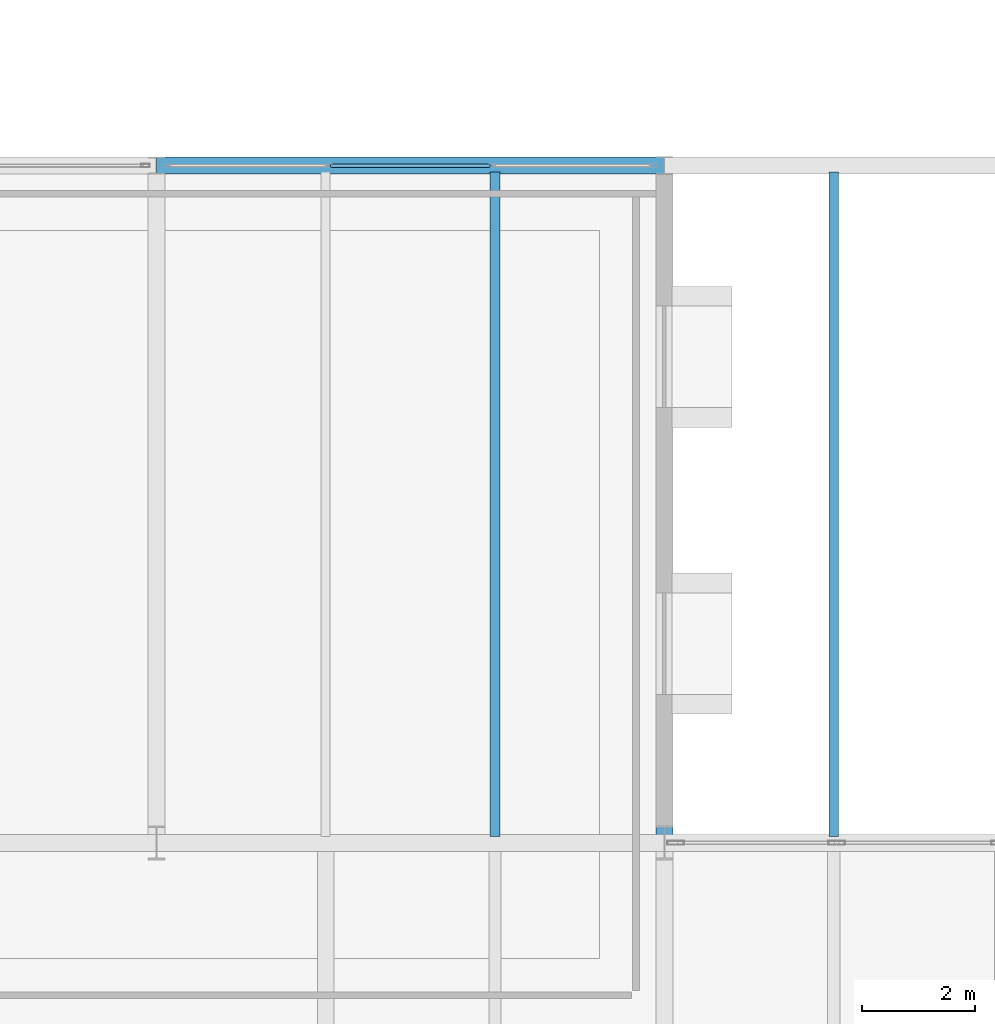
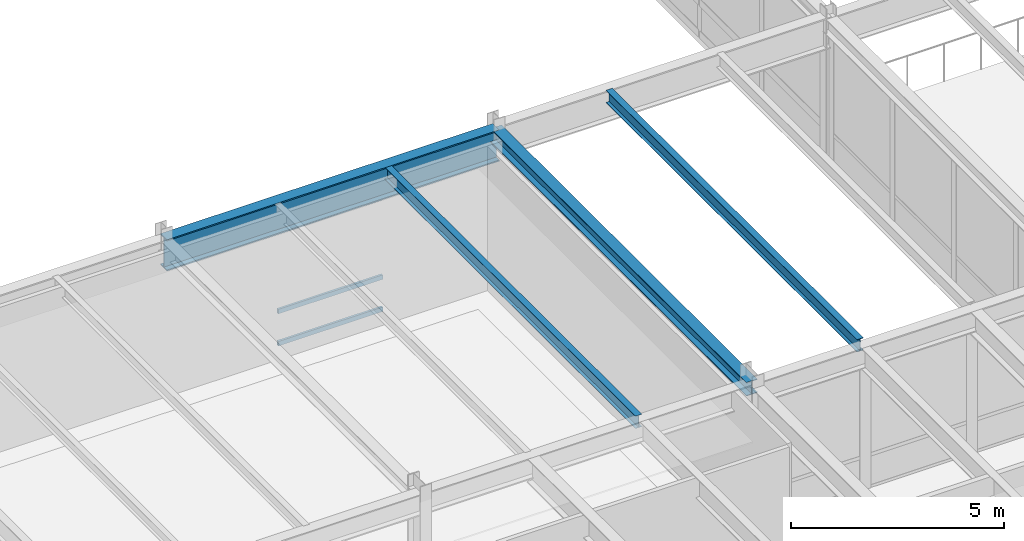
# One storey, part 29 of 127: 4 beams, 3 members, 1 element without a shape of its own.
"""IFC4 building model written with IfcOpenShell, lengths in metres."""

from ifc_helpers import new_model, si_unit, direction, frame, origin, origin_2d, place, context, subcontext, project, spatial, hollow_rectangle, i_section, extrude, material, layer, layer_set, material_profile, profile_set, type_object, element, aggregate, save


model = new_model("IFC4")

# Units and contexts
model_context = context("Model", 3, precision=1e-05, world=origin(), true_north=direction((0.0, 1.0)))
body_context = subcontext(model_context, "Body", "Model", "MODEL_VIEW")
ifc_project = project(units=[si_unit("LENGTHUNIT", "METRE"), si_unit("AREAUNIT", "SQUARE_METRE"), si_unit("VOLUMEUNIT", "CUBIC_METRE"), si_unit("PLANEANGLEUNIT", "RADIAN"), si_unit("MASSUNIT", "GRAM", prefix="KILO")], contexts=[model_context])

# Site, building, storey
site_placement = place(None, origin())
site = spatial("IfcSite", under=ifc_project, at=site_placement, CompositionType="ELEMENT")
building_placement = place(site_placement, origin())
building = spatial("IfcBuilding", under=site, at=building_placement, Name="Montelvaro Courts of Justice", CompositionType="ELEMENT")
storey_placement = place(building_placement, frame((0.0, 0.0, 5.39990234375)))
storey = spatial("IfcBuildingStorey", under=building, at=storey_placement, Name="L01", CompositionType="ELEMENT", Elevation=5.39990234375)

# Beams
ifc_material_1 = material(Name="Steel S355", Category="steel")
ifc_material_profile_1 = material_profile(ifc_material_1, i_section(OverallWidth=0.300048828125, OverallDepth=0.389892578125, WebThickness=0.010986328125, FlangeThickness=0.01904296875, at=origin_2d()), Name="HEA 400")
ifc_profile_set_1 = profile_set([ifc_material_profile_1], Name="Steel S355")
beam_type_1 = type_object("IfcBeamType", Name="Beam_HEA400", PredefinedType="USERDEFINED", material=ifc_profile_set_1)
beam_1_placement = place(storey_placement, frame((45.0, 42.0, 3.965087890625), z_axis=(0.0, 1.0, 0.0), x_axis=(-1.0, 0.0, 0.0)))
element("IfcBeam", 1, at=beam_1_placement, inside=storey, type_object=beam_type_1, Name="Beam B-17 L01", ObjectType="GIRDER", PredefinedType="USERDEFINED", context=body_context, shape_type="SweptSolid", body=[
    extrude(i_section(OverallWidth=0.300048828125, OverallDepth=0.389892578125, WebThickness=0.010986328125, FlangeThickness=0.01904296875, at=origin_2d()), origin(), (0.0, 0.0, 1.0), 12.0),
])
ifc_material_profile_2 = material_profile(ifc_material_1, i_section(OverallWidth=0.300048828125, OverallDepth=0.89990234375, WebThickness=0.0185546875, FlangeThickness=0.034912109375, at=origin_2d()), Name="HEB 900")
ifc_profile_set_2 = profile_set([ifc_material_profile_2], Name="Steel S355")
beam_type_2 = type_object("IfcBeamType", Name="Beam_HEB900", PredefinedType="USERDEFINED", material=ifc_profile_set_2)
beam_2_placement = place(storey_placement, frame((36.0, 54.0, 3.710205078125), z_axis=(1.0, 0.0, 0.0), x_axis=(0.0, 1.0, 0.0)))
element("IfcBeam", 2, at=beam_2_placement, inside=storey, type_object=beam_type_2, Name="Beam B-30 L01", ObjectType="GIRDER", PredefinedType="USERDEFINED", context=body_context, shape_type="SweptSolid", body=[
    extrude(i_section(OverallWidth=0.300048828125, OverallDepth=0.89990234375, WebThickness=0.0185546875, FlangeThickness=0.034912109375, at=origin_2d()), origin(), (0.0, 0.0, 1.0), 9.0),
])
ifc_material_profile_3 = material_profile(ifc_material_1, i_section(OverallWidth=0.169921875, OverallDepth=0.360107421875, WebThickness=0.008056640625, FlangeThickness=0.0126953125, at=origin_2d()), Name="IPE 360")
ifc_profile_set_3 = profile_set([ifc_material_profile_3], Name="Steel S355")
beam_type_3 = type_object("IfcBeamType", Name="Beam_IPE360", PredefinedType="BEAM", material=ifc_profile_set_3)
for number, where, z_axis, x_axis, name in (
    (3, (42.0, 42.110107421875, 3.97998046875), (0.0, 1.0, 0.0), (-1.0, 0.0, 0.0), "Beam B-07 L01"),
    (4, (48.0, 42.110107421875, 4.070068359375), (0.0, 1.0, 0.0), (-1.0, 0.0, 0.0), "Beam B-07 L01"),
):
    element("IfcBeam", number, at=place(storey_placement, frame(where, z_axis=z_axis, x_axis=x_axis)), inside=storey, type_object=beam_type_3, Name=name, PredefinedType="BEAM", context=body_context, shape_type="SweptSolid", body=[
        extrude(i_section(OverallWidth=0.169921875, OverallDepth=0.360107421875, WebThickness=0.008056640625, FlangeThickness=0.0126953125, at=origin_2d()), origin(), (0.0, 0.0, 1.0), 11.77978515625),
    ])

# Curtain wall, members
ifc_material_2 = material(Name="Anodised aluminium EN AW-6063", Category="aluminium")
ifc_layer = layer(ifc_material_2, 0.159912109375)
ifc_layer_set = layer_set([ifc_layer], Name="Anodised aluminium EN AW-6063")
curtain_wall_type = type_object("IfcCurtainWallType", Name="CurtainWall_14_867x418", PredefinedType="USERDEFINED", material=ifc_layer_set)
curtain_wall_placement = place(storey_placement, origin())
curtain_wall = element("IfcCurtainWall", 5, at=curtain_wall_placement, inside=storey, type_object=curtain_wall_type, Name="Curtain Wall CW-14 (L01)", ObjectType="CURTAIN WALL", PredefinedType="USERDEFINED")
ifc_material_profile_4 = material_profile(ifc_material_2, hollow_rectangle(XDim=0.06005859375, YDim=0.1298828125, WallThickness=0.00390625, at=origin_2d()), Name="ALU-T 60x130")
ifc_profile_set_4 = profile_set([ifc_material_profile_4], Name="Anodised aluminium EN AW-6063")
member_type = type_object("IfcMemberType", Name="CurtainWall_Transom_60x130", PredefinedType="USERDEFINED", material=ifc_profile_set_4)
member_1_placement = place(storey_placement, frame((41.9150390625, 54.0, 0.030029296875), z_axis=(-1.0, 0.0, 0.0), x_axis=(0.0, -1.0, 0.0)))
member_1 = element("IfcMember", 6, at=member_1_placement, type_object=member_type, Name="CW-14 transom 2.1", ObjectType="TRANSOM", PredefinedType="USERDEFINED", context=body_context, shape_type="SweptSolid", body=[
    extrude(hollow_rectangle(XDim=0.06005859375, YDim=0.1298828125, WallThickness=0.00390625, at=origin_2d()), origin(), (0.0, 0.0, 1.0), 2.830078125),
])
member_2_placement = place(storey_placement, frame((41.9150390625, 54.0, 0.9501953125), z_axis=(-1.0, 0.0, 0.0), x_axis=(0.0, -1.0, 0.0)))
member_2 = element("IfcMember", 7, at=member_2_placement, type_object=member_type, Name="CW-14 transom 2.2", ObjectType="TRANSOM", PredefinedType="USERDEFINED", context=body_context, shape_type="SweptSolid", body=[
    extrude(hollow_rectangle(XDim=0.06005859375, YDim=0.1298828125, WallThickness=0.00390625, at=origin_2d()), origin(), (0.0, 0.0, 1.0), 2.830078125),
])
member_3_placement = place(storey_placement, frame((41.9150390625, 54.0, 3.22509765625), z_axis=(-1.0, 0.0, 0.0), x_axis=(0.0, -1.0, 0.0)))
member_3 = element("IfcMember", 8, at=member_3_placement, type_object=member_type, Name="CW-14 transom 2.3", ObjectType="TRANSOM", PredefinedType="USERDEFINED", context=body_context, shape_type="SweptSolid", body=[
    extrude(hollow_rectangle(XDim=0.06005859375, YDim=0.1298828125, WallThickness=0.00390625, at=origin_2d()), origin(), (0.0, 0.0, 1.0), 2.830078125),
])
aggregate(curtain_wall, [member_1, member_2, member_3])

save(model, "model.ifc")
